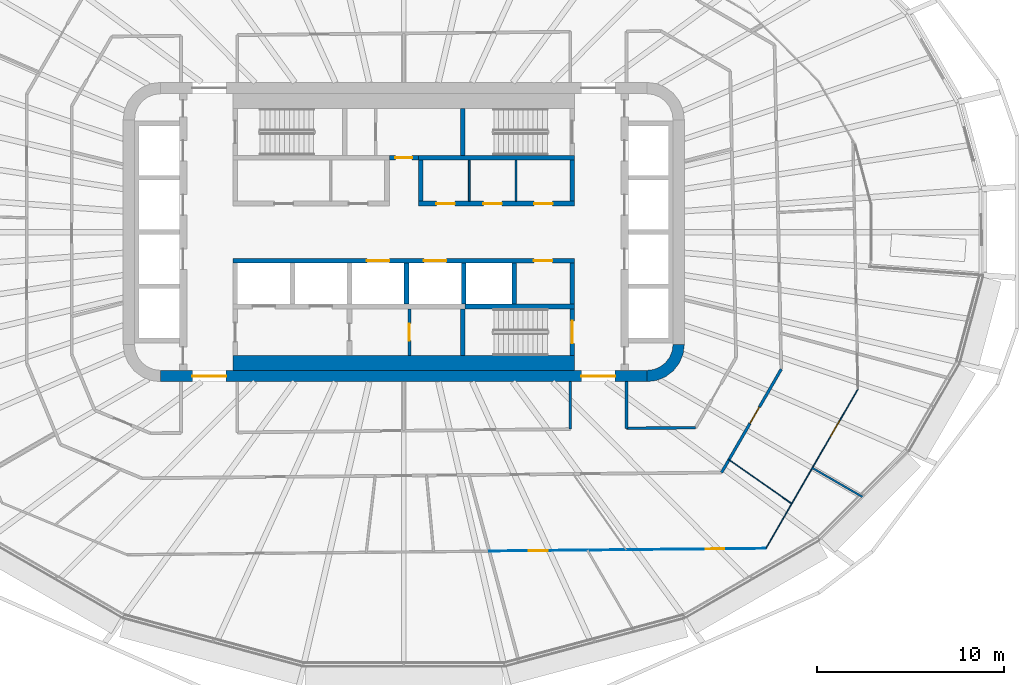
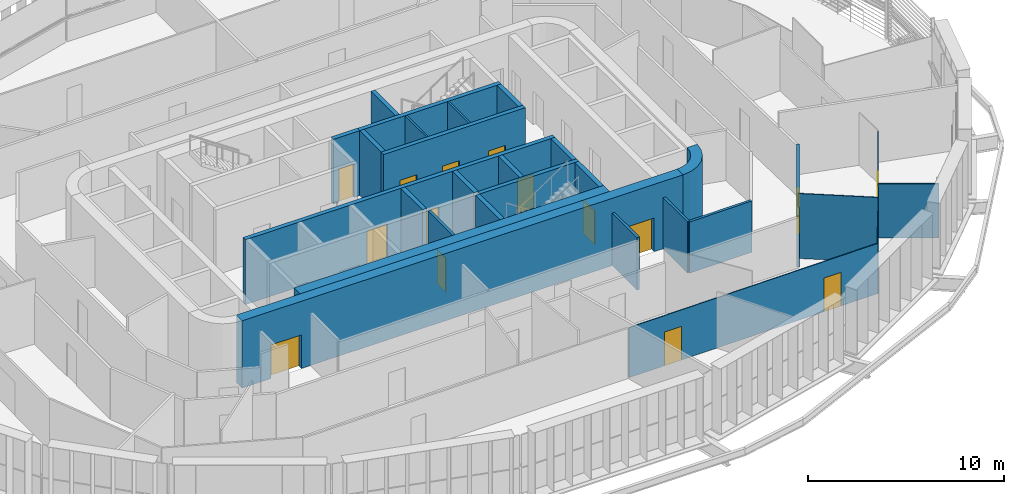
# One storey, part 14 of 24: 28 walls, 15 doors, 15 openings.
"""IFC4 building model written with IfcOpenShell, lengths in metres."""

from ifc_helpers import new_model, si_unit, direction, frame, frame_2d, origin, place, context, subcontext, project, spatial, polyline, rectangle, outline, extrude, material, layer, layer_set, type_object, element, fill, save


model = new_model("IFC4")

# Units and contexts
model_context = context("Model", 3, precision=1e-05, world=origin(), true_north=direction((0.0, 1.0)))
body_context = subcontext(model_context, "Body", "Model", "MODEL_VIEW")
ifc_project = project(units=[si_unit("LENGTHUNIT", "METRE"), si_unit("AREAUNIT", "SQUARE_METRE"), si_unit("VOLUMEUNIT", "CUBIC_METRE"), si_unit("PLANEANGLEUNIT", "RADIAN"), si_unit("MASSUNIT", "GRAM", prefix="KILO")], contexts=[model_context])

# Site, building, storey
site_placement = place(None, origin())
site = spatial("IfcSite", under=ifc_project, at=site_placement, CompositionType="ELEMENT")
building_placement = place(site_placement, origin())
building = spatial("IfcBuilding", under=site, at=building_placement, Name="Sahrelin Media Tower", CompositionType="ELEMENT")
storey_placement = place(building_placement, frame((0.0, 0.0, 67.199951171875)))
storey = spatial("IfcBuildingStorey", under=building, at=storey_placement, Name="L11", CompositionType="ELEMENT", Elevation=67.199951171875)

# Wall, openings, doors
ifc_material_1 = material(Name="Concrete C60/75", Category="concrete")
ifc_layer_1 = layer(ifc_material_1, 0.60009765625)
ifc_layer_set_1 = layer_set([ifc_layer_1], Name="Core wall 600")
wall_type_1 = type_object("IfcWallType", Name="Core wall 600", PredefinedType="SHEAR", material=ifc_layer_set_1)
wall_1_placement = place(storey_placement, frame((-13.0, -7.699951171875, 0.0), z_axis=(0.0, 0.0, 1.0), x_axis=(1.0, 0.0, 0.0)))
wall_1 = element("IfcWall", 1, at=wall_1_placement, inside=storey, type_object=wall_type_1, Name="Core wall S L11", PredefinedType="SHEAR", context=body_context, shape_type="SweptSolid", body=[
    extrude(rectangle(XDim=26.0, YDim=0.60009765625, at=frame_2d((13.0, 0.0))), origin(), (0.0, 0.0, 1.0), 4.199951171875),
])
opening_1_placement = place(wall_1_placement, frame((1.699951171875, 0.0, 0.0)))
opening_1 = element("IfcOpeningElement", 2, at=opening_1_placement, cuts=wall_1, Name="Opening L11-D21", PredefinedType="OPENING", context=body_context, shape_type="SweptSolid", body=[
    extrude(rectangle(XDim=1.800048828125, YDim=2.10009765625, at=frame_2d((0.89990234375, 1.050048828125))), frame((0.0, 0.300048828125, 0.0), z_axis=(0.0, -1.0, 0.0), x_axis=(1.0, 0.0, 0.0)), (0.0, 0.0, 1.0), 0.60009765625),
])
opening_2_placement = place(wall_1_placement, frame((22.5, 0.0, 0.0)))
opening_2 = element("IfcOpeningElement", 3, at=opening_2_placement, cuts=wall_1, Name="Opening L11-D22", PredefinedType="OPENING", context=body_context, shape_type="SweptSolid", body=[
    extrude(rectangle(XDim=1.800048828125, YDim=2.10009765625, at=frame_2d((0.89990234375, 1.050048828125))), frame((0.0, 0.300048828125, 0.0), z_axis=(0.0, -1.0, 0.0), x_axis=(1.0, 0.0, 0.0)), (0.0, 0.0, 1.0), 0.60009765625),
])
ifc_material_2 = material(Name="Steel fire door leaf", Category="steel")
door_type_1 = type_object("IfcDoorType", Name="Lobby double door 1800 x 2100 EI 60", OperationType="DOUBLE_DOOR_SINGLE_SWING", PredefinedType="DOOR", material=ifc_material_2)
door_1_placement = place(opening_1_placement, origin())
door_1 = element("IfcDoor", 4, at=door_1_placement, inside=storey, type_object=door_type_1, Name="Lobby door", OperationType="DOUBLE_DOOR_SINGLE_SWING", OverallHeight=2.10009765625, OverallWidth=1.800048828125, PredefinedType="DOOR", context=body_context, shape_type="SweptSolid", body=[
    extrude(rectangle(XDim=1.800048828125, YDim=2.10009765625, at=frame_2d((0.89990234375, 1.050048828125))), frame((0.0, 0.02490234375, 0.0), z_axis=(0.0, -1.0, 0.0), x_axis=(1.0, 0.0, 0.0)), (0.0, 0.0, 1.0), 0.050048828125),
])
fill(opening_1, door_1)
door_2_placement = place(opening_2_placement, origin())
door_2 = element("IfcDoor", 5, at=door_2_placement, inside=storey, type_object=door_type_1, Name="Lobby door", OperationType="DOUBLE_DOOR_SINGLE_SWING", OverallHeight=2.10009765625, OverallWidth=1.800048828125, PredefinedType="DOOR", context=body_context, shape_type="SweptSolid", body=[
    extrude(rectangle(XDim=1.800048828125, YDim=2.10009765625, at=frame_2d((0.89990234375, 1.050048828125))), frame((0.0, 0.02490234375, 0.0), z_axis=(0.0, -1.0, 0.0), x_axis=(1.0, 0.0, 0.0)), (0.0, 0.0, 1.0), 0.050048828125),
])
fill(opening_2, door_2)

# Wall
wall_2_placement = place(storey_placement, origin())
element("IfcWall", 6, at=wall_2_placement, inside=storey, type_object=wall_type_1, Name="Core wall corner SE L11", PredefinedType="SHEAR", context=body_context, shape_type="SweptSolid", body=[
    extrude(outline(polyline([(15.0, -6.0), (14.394775390625, -6.0), (14.347412109375, -6.361083984375), (14.2080078125, -6.697509765625), (13.986328125, -6.986328125), (13.697509765625, -7.2080078125), (13.361083984375, -7.347412109375), (13.0, -7.394775390625), (13.0, -8.0), (13.517578125, -7.931884765625), (14.0, -7.732177734375), (14.414306640625, -7.414306640625), (14.732177734375, -7.0), (14.931884765625, -6.517578125), (15.0, -6.0)])), origin(), (0.0, 0.0, 1.0), 4.199951171875),
])

# Wall, opening, door
ifc_material_3 = material(Name="Fire-rated gypsum board partition")
ifc_layer_2 = layer(ifc_material_3, 0.25)
ifc_layer_set_2 = layer_set([ifc_layer_2], Name="Fire-rated lobby wall 250")
wall_type_2 = type_object("IfcWallType", Name="Fire-rated lobby wall 250", PredefinedType="PARTITIONING", material=ifc_layer_set_2)
wall_3_placement = place(storey_placement, frame((-0.77490234375, 3.97509765625, 0.0), z_axis=(0.0, 0.0, 1.0), x_axis=(1.0, 0.0, 0.0)))
wall_3 = element("IfcWall", 7, at=wall_3_placement, inside=storey, type_object=wall_type_2, Name="Core lobby wall", PredefinedType="PARTITIONING", context=body_context, shape_type="SweptSolid", body=[
    extrude(rectangle(XDim=1.5498046875, YDim=0.25, at=frame_2d((0.77490234375, 0.0))), origin(), (0.0, 0.0, 1.0), 4.050048828125),
])
opening_3_placement = place(wall_3_placement, frame((0.324951171875, 0.0, 0.0)))
opening_3 = element("IfcOpeningElement", 8, at=opening_3_placement, cuts=wall_3, Name="Opening L11-D06", PredefinedType="OPENING", context=body_context, shape_type="SweptSolid", body=[
    extrude(rectangle(XDim=0.89990234375, YDim=2.10009765625, at=frame_2d((0.449951171875, 1.050048828125))), frame((0.0, 0.125, 0.0), z_axis=(0.0, -1.0, 0.0), x_axis=(1.0, 0.0, 0.0)), (0.0, 0.0, 1.0), 0.25),
])
door_type_2 = type_object("IfcDoorType", Name="Riser door 900 x 2100 EI 120", OperationType="NOTDEFINED", PredefinedType="DOOR", material=ifc_material_2)
door_3_placement = place(opening_3_placement, origin())
door_3 = element("IfcDoor", 9, at=door_3_placement, inside=storey, type_object=door_type_2, Name="Core room door", OperationType="SINGLE_SWING_LEFT", OverallHeight=2.10009765625, OverallWidth=0.89990234375, PredefinedType="DOOR", context=body_context, shape_type="SweptSolid", body=[
    extrude(rectangle(XDim=0.89990234375, YDim=2.10009765625, at=frame_2d((0.449951171875, 1.050048828125))), frame((0.0, 0.02490234375, 0.0), z_axis=(0.0, -1.0, 0.0), x_axis=(1.0, 0.0, 0.0)), (0.0, 0.0, 1.0), 0.050048828125),
])
fill(opening_3, door_3)

# Wall, openings, doors
wall_4_placement = place(storey_placement, frame((0.77490234375, 1.52490234375, 0.0), z_axis=(0.0, 0.0, 1.0), x_axis=(1.0, 0.0, 0.0)))
wall_4 = element("IfcWall", 10, at=wall_4_placement, inside=storey, type_object=wall_type_2, Name="Core lobby wall", PredefinedType="PARTITIONING", context=body_context, shape_type="SweptSolid", body=[
    extrude(rectangle(XDim=8.35009765625, YDim=0.25, at=frame_2d((4.175048828125, 0.0))), origin(), (0.0, 0.0, 1.0), 4.050048828125),
])
opening_4_placement = place(wall_4_placement, frame((0.96240234375, 0.0, 0.0)))
opening_4 = element("IfcOpeningElement", 11, at=opening_4_placement, cuts=wall_4, Name="Opening L11-D11", PredefinedType="OPENING", context=body_context, shape_type="SweptSolid", body=[
    extrude(rectangle(XDim=1.0, YDim=2.10009765625, at=frame_2d((0.5, 1.050048828125))), frame((0.0, 0.125, 0.0), z_axis=(0.0, -1.0, 0.0), x_axis=(1.0, 0.0, 0.0)), (0.0, 0.0, 1.0), 0.25),
])
opening_5_placement = place(wall_4_placement, frame((3.47509765625, 0.0, 0.0)))
opening_5 = element("IfcOpeningElement", 12, at=opening_5_placement, cuts=wall_4, Name="Opening L11-D12", PredefinedType="OPENING", context=body_context, shape_type="SweptSolid", body=[
    extrude(rectangle(XDim=1.0, YDim=2.10009765625, at=frame_2d((0.5, 1.050048828125))), frame((0.0, 0.125, 0.0), z_axis=(0.0, -1.0, 0.0), x_axis=(1.0, 0.0, 0.0)), (0.0, 0.0, 1.0), 0.25),
])
opening_6_placement = place(wall_4_placement, frame((6.1875, 0.0, 0.0)))
opening_6 = element("IfcOpeningElement", 13, at=opening_6_placement, cuts=wall_4, Name="Opening L11-D13", PredefinedType="OPENING", context=body_context, shape_type="SweptSolid", body=[
    extrude(rectangle(XDim=1.0, YDim=2.10009765625, at=frame_2d((0.5, 1.050048828125))), frame((0.0, 0.125, 0.0), z_axis=(0.0, -1.0, 0.0), x_axis=(1.0, 0.0, 0.0)), (0.0, 0.0, 1.0), 0.25),
])
door_type_3 = type_object("IfcDoorType", Name="Fire door 1000 x 2100 EI 60", OperationType="NOTDEFINED", PredefinedType="DOOR", material=ifc_material_2)
door_4_placement = place(opening_4_placement, origin())
door_4 = element("IfcDoor", 14, at=door_4_placement, inside=storey, type_object=door_type_3, Name="Core room door", OperationType="SINGLE_SWING_LEFT", OverallHeight=2.10009765625, OverallWidth=1.0, PredefinedType="DOOR", context=body_context, shape_type="SweptSolid", body=[
    extrude(rectangle(XDim=1.0, YDim=2.10009765625, at=frame_2d((0.5, 1.050048828125))), frame((0.0, 0.02490234375, 0.0), z_axis=(0.0, -1.0, 0.0), x_axis=(1.0, 0.0, 0.0)), (0.0, 0.0, 1.0), 0.050048828125),
])
fill(opening_4, door_4)
door_5_placement = place(opening_5_placement, origin())
door_5 = element("IfcDoor", 15, at=door_5_placement, inside=storey, type_object=door_type_3, Name="Core room door", OperationType="SINGLE_SWING_LEFT", OverallHeight=2.10009765625, OverallWidth=1.0, PredefinedType="DOOR", context=body_context, shape_type="SweptSolid", body=[
    extrude(rectangle(XDim=1.0, YDim=2.10009765625, at=frame_2d((0.5, 1.050048828125))), frame((0.0, 0.02490234375, 0.0), z_axis=(0.0, -1.0, 0.0), x_axis=(1.0, 0.0, 0.0)), (0.0, 0.0, 1.0), 0.050048828125),
])
fill(opening_5, door_5)
door_6_placement = place(opening_6_placement, origin())
door_6 = element("IfcDoor", 16, at=door_6_placement, inside=storey, type_object=door_type_3, Name="Core room door", OperationType="SINGLE_SWING_LEFT", OverallHeight=2.10009765625, OverallWidth=1.0, PredefinedType="DOOR", context=body_context, shape_type="SweptSolid", body=[
    extrude(rectangle(XDim=1.0, YDim=2.10009765625, at=frame_2d((0.5, 1.050048828125))), frame((0.0, 0.02490234375, 0.0), z_axis=(0.0, -1.0, 0.0), x_axis=(1.0, 0.0, 0.0)), (0.0, 0.0, 1.0), 0.050048828125),
])
fill(opening_6, door_6)

# Walls
for number, where, z_axis, x_axis, name in (
    (17, (9.0, 1.64990234375, 0.0), (0.0, 0.0, 1.0), (0.0, 1.0, 0.0), "Core lobby wall"),
    (18, (0.89990234375, 1.64990234375, 0.0), (0.0, 0.0, 1.0), (0.0, 1.0, 0.0), "Core lobby wall"),
):
    element("IfcWall", number, at=place(storey_placement, frame(where, z_axis=z_axis, x_axis=x_axis)), inside=storey, type_object=wall_type_2, Name=name, PredefinedType="PARTITIONING", context=body_context, shape_type="SweptSolid", body=[
        extrude(rectangle(XDim=2.2001953125, YDim=0.25, at=frame_2d((1.10009765625, 0.0))), origin(), (0.0, 0.0, 1.0), 4.050048828125),
    ])
ifc_layer_3 = layer(ifc_material_3, 0.10009765625)
ifc_layer_set_3 = layer_set([ifc_layer_3], Name="Fire-rated partition 100")
wall_type_3 = type_object("IfcWallType", Name="Fire-rated partition 100", PredefinedType="PARTITIONING", material=ifc_layer_set_3)
for number, where, z_axis, x_axis, name in (
    (19, (3.5, 1.64990234375, 0.0), (0.0, 0.0, 1.0), (0.0, 1.0, 0.0), "Core room partition"),
    (20, (6.0, 1.64990234375, 0.0), (0.0, 0.0, 1.0), (0.0, 1.0, 0.0), "Core room partition"),
):
    element("IfcWall", number, at=place(storey_placement, frame(where, z_axis=z_axis, x_axis=x_axis)), inside=storey, type_object=wall_type_3, Name=name, PredefinedType="PARTITIONING", context=body_context, shape_type="SweptSolid", body=[
        extrude(rectangle(XDim=2.2001953125, YDim=0.10009765625, at=frame_2d((1.10009765625, 0.0))), origin(), (0.0, 0.0, 1.0), 4.050048828125),
    ])

# Wall, opening, door
ifc_layer_4 = layer(ifc_material_3, 0.14990234375)
ifc_layer_set_4 = layer_set([ifc_layer_4], Name="Fire-rated partition 150")
wall_type_4 = type_object("IfcWallType", Name="Fire-rated partition 150", PredefinedType="PARTITIONING", material=ifc_layer_set_4)
wall_5_placement = place(storey_placement, frame((0.300048828125, -6.60009765625, 0.0), z_axis=(0.0, 0.0, 1.0), x_axis=(0.0, 1.0, 0.0)))
wall_5 = element("IfcWall", 21, at=wall_5_placement, inside=storey, type_object=wall_type_4, Name="Core room fire partition", PredefinedType="PARTITIONING", context=body_context, shape_type="SweptSolid", body=[
    extrude(rectangle(XDim=2.5, YDim=0.14990234375, at=frame_2d((1.25, 0.0))), origin(), (0.0, 0.0, 1.0), 4.050048828125),
])
opening_7_placement = place(wall_5_placement, frame((0.800048828125, 0.0, 0.0)))
opening_7 = element("IfcOpeningElement", 22, at=opening_7_placement, cuts=wall_5, Name="Opening L11-D08", PredefinedType="OPENING", context=body_context, shape_type="SweptSolid", body=[
    extrude(rectangle(XDim=0.89990234375, YDim=2.10009765625, at=frame_2d((0.449951171875, 1.050048828125))), frame((0.0, 0.074951171875, 0.0), z_axis=(0.0, -1.0, 0.0), x_axis=(1.0, 0.0, 0.0)), (0.0, 0.0, 1.0), 0.14990234375),
])
door_type_4 = type_object("IfcDoorType", Name="Fire door 900 x 2100 EI 60", OperationType="NOTDEFINED", PredefinedType="DOOR", material=ifc_material_2)
door_7_placement = place(opening_7_placement, origin())
door_7 = element("IfcDoor", 23, at=door_7_placement, inside=storey, type_object=door_type_4, Name="Core room door", OperationType="SINGLE_SWING_RIGHT", OverallHeight=2.10009765625, OverallWidth=0.89990234375, PredefinedType="DOOR", context=body_context, shape_type="SweptSolid", body=[
    extrude(rectangle(XDim=0.89990234375, YDim=2.10009765625, at=frame_2d((0.449951171875, 1.050048828125))), frame((0.0, 0.02490234375, 0.0), z_axis=(0.0, -1.0, 0.0), x_axis=(1.0, 0.0, 0.0)), (0.0, 0.0, 1.0), 0.050048828125),
])
fill(opening_7, door_7)

# Wall
wall_6_placement = place(storey_placement, frame((11.89990234375, -10.491943359375, 0.0), z_axis=(0.0, 0.0, 1.0), x_axis=(0.999950943482, 0.009905080996, 0.0)))
element("IfcWall", 24, at=wall_6_placement, inside=storey, type_object=wall_type_4, Name="Wall", PredefinedType="PARTITIONING", context=body_context, shape_type="SweptSolid", body=[
    extrude(rectangle(XDim=3.697265625, YDim=0.14990234375, at=frame_2d((1.8486328125, 0.0))), origin(), (0.0, 0.0, 1.0), 3.195068359375),
])

# Wall, opening, door
wall_7_placement = place(storey_placement, frame((16.989990234375, -12.85302734375, 0.0), z_axis=(0.0, 0.0, 1.0), x_axis=(0.500026252906, 0.866010246132, 0.0)))
wall_7 = element("IfcWall", 25, at=wall_7_placement, inside=storey, type_object=wall_type_4, Name="Wall", PredefinedType="PARTITIONING", context=body_context, shape_type="SweptSolid", body=[
    extrude(rectangle(XDim=6.376708984375, YDim=0.14990234375, at=frame_2d((3.1884765625, 0.0))), origin(), (0.0, 0.0, 1.0), 3.195068359375),
])
opening_8_placement = place(wall_7_placement, frame((3.032958984375, 0.0, 0.0)))
opening_8 = element("IfcOpeningElement", 26, at=opening_8_placement, cuts=wall_7, Name="Opening L11-D44", PredefinedType="OPENING", context=body_context, shape_type="SweptSolid", body=[
    extrude(rectangle(XDim=1.0, YDim=2.10009765625, at=frame_2d((0.5, 1.050048828125))), frame((0.0, 0.074951171875, 0.0), z_axis=(0.0, -1.0, 0.0), x_axis=(1.0, 0.0, 0.0)), (0.0, 0.0, 1.0), 0.14990234375),
])
door_8_placement = place(opening_8_placement, origin())
door_8 = element("IfcDoor", 27, at=door_8_placement, inside=storey, type_object=door_type_3, Name="Fire door", OperationType="SINGLE_SWING_LEFT", OverallHeight=2.10009765625, OverallWidth=1.0, PredefinedType="DOOR", context=body_context, shape_type="SweptSolid", body=[
    extrude(rectangle(XDim=1.0, YDim=2.10009765625, at=frame_2d((0.5, 1.050048828125))), frame((0.0, 0.02490234375, 0.0), z_axis=(0.0, -1.0, 0.0), x_axis=(1.0, 0.0, 0.0)), (0.0, 0.0, 1.0), 0.050048828125),
])
fill(opening_8, door_8)

# Walls
wall_8_placement = place(storey_placement, frame((11.89990234375, -10.491943359375, 0.0), z_axis=(0.0, 0.0, 1.0), x_axis=(0.0, 1.0, 0.0)))
element("IfcWall", 28, at=wall_8_placement, inside=storey, type_object=wall_type_4, Name="Wall", PredefinedType="PARTITIONING", context=body_context, shape_type="SweptSolid", body=[
    extrude(rectangle(XDim=2.491943359375, YDim=0.14990234375, at=frame_2d((1.24609375, 0.0))), origin(), (0.0, 0.0, 1.0), 3.195068359375),
])
wall_9_placement = place(storey_placement, frame((8.89990234375, -10.531982421875, 0.0), z_axis=(0.0, 0.0, 1.0), x_axis=(0.0, 1.0, 0.0)))
element("IfcWall", 29, at=wall_9_placement, inside=storey, type_object=wall_type_4, Name="Wall", PredefinedType="PARTITIONING", context=body_context, shape_type="SweptSolid", body=[
    extrude(rectangle(XDim=2.531982421875, YDim=0.14990234375, at=frame_2d((1.26611328125, 0.0))), origin(), (0.0, 0.0, 1.0), 3.276123046875),
])
ifc_material_4 = material(Name="Clear glass", Category="glass")
ifc_layer_5 = layer(ifc_material_4, 0.050048828125)
ifc_layer_set_5 = layer_set([ifc_layer_5], Name="Glazed partition 50")
wall_type_5 = type_object("IfcWallType", Name="Glazed partition 50", PredefinedType="PARTITIONING", material=ifc_layer_set_5)
wall_10_placement = place(storey_placement, frame((17.383056640625, -12.172119140625, 0.0), z_axis=(0.0, 0.0, 1.0), x_axis=(0.819265519274, -0.573414343149, 0.0)))
element("IfcWall", 30, at=wall_10_placement, inside=storey, type_object=wall_type_5, Name="Wall", PredefinedType="PARTITIONING", context=body_context, shape_type="SweptSolid", body=[
    extrude(rectangle(XDim=4.09619140625, YDim=0.050048828125, at=frame_2d((2.048095703125, 0.0))), origin(), (0.0, 0.0, 1.0), 4.050048828125),
])

# Wall, openings, doors
wall_11_placement = place(storey_placement, frame((4.570068359375, -17.055908203125, 0.0), z_axis=(0.0, 0.0, 1.0), x_axis=(0.999951924398, 0.009805554158, 0.0)))
wall_11 = element("IfcWall", 31, at=wall_11_placement, inside=storey, type_object=wall_type_5, Name="Wall", PredefinedType="PARTITIONING", context=body_context, shape_type="SweptSolid", body=[
    extrude(rectangle(XDim=14.78955078125, YDim=0.050048828125, at=frame_2d((7.394775390625, 0.0))), origin(), (0.0, 0.0, 1.0), 3.126953125),
])
opening_9_placement = place(wall_11_placement, frame((2.1220703125, 0.0, 0.0)))
opening_9 = element("IfcOpeningElement", 32, at=opening_9_placement, cuts=wall_11, Name="Opening L11-D45", PredefinedType="OPENING", context=body_context, shape_type="SweptSolid", body=[
    extrude(rectangle(XDim=1.0, YDim=2.10009765625, at=frame_2d((0.5, 1.050048828125))), frame((0.0, 0.02490234375, 0.0), z_axis=(0.0, -1.0, 0.0), x_axis=(1.0, 0.0, 0.0)), (0.0, 0.0, 1.0), 0.050048828125),
])
opening_10_placement = place(wall_11_placement, frame((11.5673828125, 0.0, 0.0)))
opening_10 = element("IfcOpeningElement", 33, at=opening_10_placement, cuts=wall_11, Name="Opening L11-D46", PredefinedType="OPENING", context=body_context, shape_type="SweptSolid", body=[
    extrude(rectangle(XDim=1.0, YDim=2.10009765625, at=frame_2d((0.5, 1.050048828125))), frame((0.0, 0.02490234375, 0.0), z_axis=(0.0, -1.0, 0.0), x_axis=(1.0, 0.0, 0.0)), (0.0, 0.0, 1.0), 0.050048828125),
])
door_type_5 = type_object("IfcDoorType", Name="Glazed door 1000 x 2100", OperationType="NOTDEFINED", PredefinedType="DOOR", material=ifc_material_4)
door_9_placement = place(opening_9_placement, origin())
door_9 = element("IfcDoor", 34, at=door_9_placement, inside=storey, type_object=door_type_5, Name="Glazed door", OperationType="SINGLE_SWING_LEFT", OverallHeight=2.10009765625, OverallWidth=1.0, PredefinedType="DOOR", context=body_context, shape_type="SweptSolid", body=[
    extrude(rectangle(XDim=1.0, YDim=2.10009765625, at=frame_2d((0.5, 1.050048828125))), frame((0.0, 0.02490234375, 0.0), z_axis=(0.0, -1.0, 0.0), x_axis=(1.0, 0.0, 0.0)), (0.0, 0.0, 1.0), 0.049560546875),
])
fill(opening_9, door_9)
door_10_placement = place(opening_10_placement, origin())
door_10 = element("IfcDoor", 35, at=door_10_placement, inside=storey, type_object=door_type_5, Name="Glazed door", OperationType="SINGLE_SWING_LEFT", OverallHeight=2.10009765625, OverallWidth=1.0, PredefinedType="DOOR", context=body_context, shape_type="SweptSolid", body=[
    extrude(rectangle(XDim=1.0, YDim=2.10009765625, at=frame_2d((0.5, 1.050048828125))), frame((0.0, 0.02490234375, 0.0), z_axis=(0.0, -1.0, 0.0), x_axis=(1.0, 0.0, 0.0)), (0.0, 0.0, 1.0), 0.049560546875),
])
fill(opening_10, door_10)

# Wall, opening, door
wall_12_placement = place(storey_placement, frame((19.35888671875, -16.909912109375, 0.0), z_axis=(0.0, 0.0, 1.0), x_axis=(0.500075948794, 0.865981550287, 0.0)))
wall_12 = element("IfcWall", 36, at=wall_12_placement, inside=storey, type_object=wall_type_5, Name="Wall", PredefinedType="PARTITIONING", context=body_context, shape_type="SweptSolid", body=[
    extrude(rectangle(XDim=9.84423828125, YDim=0.050048828125, at=frame_2d((4.922119140625, 0.0))), origin(), (0.0, 0.0, 1.0), 3.195068359375),
])
opening_11_placement = place(wall_12_placement, frame((6.906005859375, 0.0, 0.0)))
opening_11 = element("IfcOpeningElement", 37, at=opening_11_placement, cuts=wall_12, Name="Opening L11-D47", PredefinedType="OPENING", context=body_context, shape_type="SweptSolid", body=[
    extrude(rectangle(XDim=1.0, YDim=2.10009765625, at=frame_2d((0.5, 1.050048828125))), frame((0.0, 0.02490234375, 0.0), z_axis=(0.0, -1.0, 0.0), x_axis=(1.0, 0.0, 0.0)), (0.0, 0.0, 1.0), 0.050048828125),
])
door_11_placement = place(opening_11_placement, origin())
door_11 = element("IfcDoor", 38, at=door_11_placement, inside=storey, type_object=door_type_5, Name="Glazed door", OperationType="SINGLE_SWING_LEFT", OverallHeight=2.10009765625, OverallWidth=1.0, PredefinedType="DOOR", context=body_context, shape_type="SweptSolid", body=[
    extrude(rectangle(XDim=1.0, YDim=2.10009765625, at=frame_2d((0.5, 1.050048828125))), frame((0.0, 0.02490234375, 0.0), z_axis=(0.0, -1.0, 0.0), x_axis=(1.0, 0.0, 0.0)), (0.0, 0.0, 1.0), 0.049560546875),
])
fill(opening_11, door_11)

# Wall, openings, doors
ifc_layer_6 = layer(ifc_material_1, 0.25)
ifc_layer_set_6 = layer_set([ifc_layer_6], Name="Lift shaft wall 250")
wall_type_6 = type_object("IfcWallType", Name="Lift shaft wall 250", PredefinedType="SOLIDWALL", material=ifc_layer_set_6)
wall_13_placement = place(storey_placement, frame((-9.125, -1.52490234375, 0.0), z_axis=(0.0, 0.0, 1.0), x_axis=(1.0, 0.0, 0.0)))
wall_13 = element("IfcWall", 39, at=wall_13_placement, inside=storey, type_object=wall_type_6, Name="Lift shaft wall", PredefinedType="SOLIDWALL", context=body_context, shape_type="SweptSolid", body=[
    extrude(rectangle(XDim=18.25, YDim=0.25, at=frame_2d((9.125, 0.0))), origin(), (0.0, 0.0, 1.0), 4.050048828125),
])
opening_12_placement = place(wall_13_placement, frame((7.14990234375, 0.0, 0.0)))
opening_12 = element("IfcOpeningElement", 40, at=opening_12_placement, cuts=wall_13, Name="Opening L11-LD-SV1", PredefinedType="OPENING", context=body_context, shape_type="SweptSolid", body=[
    extrude(rectangle(XDim=1.199951171875, YDim=2.10009765625, at=frame_2d((0.60009765625, 1.050048828125))), frame((0.0, 0.125, 0.0), z_axis=(0.0, -1.0, 0.0), x_axis=(1.0, 0.0, 0.0)), (0.0, 0.0, 1.0), 0.25),
])
opening_13_placement = place(wall_13_placement, frame((10.199951171875, 0.0, 0.0)))
opening_13 = element("IfcOpeningElement", 41, at=opening_13_placement, cuts=wall_13, Name="Opening L11-LD-SV2", PredefinedType="OPENING", context=body_context, shape_type="SweptSolid", body=[
    extrude(rectangle(XDim=1.199951171875, YDim=2.10009765625, at=frame_2d((0.60009765625, 1.050048828125))), frame((0.0, 0.125, 0.0), z_axis=(0.0, -1.0, 0.0), x_axis=(1.0, 0.0, 0.0)), (0.0, 0.0, 1.0), 0.25),
])
opening_14_placement = place(wall_13_placement, frame((16.074951171875, 0.0, 0.0)))
opening_14 = element("IfcOpeningElement", 42, at=opening_14_placement, cuts=wall_13, Name="Opening L11-D14", PredefinedType="OPENING", context=body_context, shape_type="SweptSolid", body=[
    extrude(rectangle(XDim=1.0, YDim=2.10009765625, at=frame_2d((0.5, 1.050048828125))), frame((0.0, 0.125, 0.0), z_axis=(0.0, -1.0, 0.0), x_axis=(1.0, 0.0, 0.0)), (0.0, 0.0, 1.0), 0.25),
])
door_12_placement = place(opening_14_placement, origin())
door_12 = element("IfcDoor", 43, at=door_12_placement, inside=storey, type_object=door_type_3, Name="Core room door", OperationType="SINGLE_SWING_RIGHT", OverallHeight=2.10009765625, OverallWidth=1.0, PredefinedType="DOOR", context=body_context, shape_type="SweptSolid", body=[
    extrude(rectangle(XDim=1.0, YDim=2.10009765625, at=frame_2d((0.5, 1.050048828125))), frame((0.0, 0.02490234375, 0.0), z_axis=(0.0, -1.0, 0.0), x_axis=(1.0, 0.0, 0.0)), (0.0, 0.0, 1.0), 0.050048828125),
])
fill(opening_14, door_12)
ifc_material_5 = material(Name="Stainless steel", Category="steel")
door_type_6 = type_object("IfcDoorType", Name="Lift landing door 1200 x 2100 EI 120", OperationType="DOUBLE_DOOR_SLIDING", PredefinedType="DOOR", material=ifc_material_5)
door_13_placement = place(opening_12_placement, origin())
door_13 = element("IfcDoor", 44, at=door_13_placement, inside=storey, type_object=door_type_6, Name="Lift landing door SV1", OperationType="DOUBLE_DOOR_SLIDING", OverallHeight=2.10009765625, OverallWidth=1.199951171875, PredefinedType="DOOR", context=body_context, shape_type="SweptSolid", body=[
    extrude(rectangle(XDim=1.199951171875, YDim=2.10009765625, at=frame_2d((0.60009765625, 1.050048828125))), frame((0.0, 0.02490234375, 0.0), z_axis=(0.0, -1.0, 0.0), x_axis=(1.0, 0.0, 0.0)), (0.0, 0.0, 1.0), 0.050048828125),
])
fill(opening_12, door_13)
door_14_placement = place(opening_13_placement, origin())
door_14 = element("IfcDoor", 45, at=door_14_placement, inside=storey, type_object=door_type_6, Name="Lift landing door SV2", OperationType="DOUBLE_DOOR_SLIDING", OverallHeight=2.10009765625, OverallWidth=1.199951171875, PredefinedType="DOOR", context=body_context, shape_type="SweptSolid", body=[
    extrude(rectangle(XDim=1.199951171875, YDim=2.10009765625, at=frame_2d((0.60009765625, 1.050048828125))), frame((0.0, 0.02490234375, 0.0), z_axis=(0.0, -1.0, 0.0), x_axis=(1.0, 0.0, 0.0)), (0.0, 0.0, 1.0), 0.050048828125),
])
fill(opening_13, door_14)

# Walls
wall_14_placement = place(storey_placement, frame((3.27490234375, -3.97509765625, 0.0), z_axis=(0.0, 0.0, 1.0), x_axis=(1.0, 0.0, 0.0)))
element("IfcWall", 46, at=wall_14_placement, inside=storey, type_object=wall_type_6, Name="Lift shaft wall", PredefinedType="SOLIDWALL", context=body_context, shape_type="SweptSolid", body=[
    extrude(rectangle(XDim=5.85009765625, YDim=0.25, at=frame_2d((2.925048828125, 0.0))), origin(), (0.0, 0.0, 1.0), 4.050048828125),
])
for number, where, z_axis, x_axis, name in (
    (47, (0.14990234375, -3.85009765625, 0.0), (0.0, 0.0, 1.0), (0.0, 1.0, 0.0), "Lift shaft wall"),
    (48, (3.199951171875, -3.85009765625, 0.0), (0.0, 0.0, 1.0), (0.0, 1.0, 0.0), "Lift shaft wall"),
    (49, (5.89990234375, -3.85009765625, 0.0), (0.0, 0.0, 1.0), (0.0, 1.0, 0.0), "Lift shaft wall"),
    (50, (9.0, -3.85009765625, 0.0), (0.0, 0.0, 1.0), (0.0, 1.0, 0.0), "Lift shaft wall"),
):
    element("IfcWall", number, at=place(storey_placement, frame(where, z_axis=z_axis, x_axis=x_axis)), inside=storey, type_object=wall_type_6, Name=name, PredefinedType="SOLIDWALL", context=body_context, shape_type="SweptSolid", body=[
        extrude(rectangle(XDim=2.2001953125, YDim=0.25, at=frame_2d((1.10009765625, 0.0))), origin(), (0.0, 0.0, 1.0), 4.050048828125),
    ])
ifc_material_6 = material(Name="Gypsum board partition")
ifc_layer_7 = layer(ifc_material_6, 0.10009765625)
ifc_layer_set_7 = layer_set([ifc_layer_7], Name="Partition 100")
wall_type_7 = type_object("IfcWallType", Name="Partition 100", PredefinedType="PARTITIONING", material=ifc_layer_set_7)
wall_15_placement = place(storey_placement, frame((21.842041015625, -12.610107421875, 0.0), z_axis=(0.0, 0.0, 1.0), x_axis=(0.865948598564, -0.500133006953, 0.0)))
element("IfcWall", 51, at=wall_15_placement, inside=storey, type_object=wall_type_7, Name="Wall", PredefinedType="PARTITIONING", context=body_context, shape_type="SweptSolid", body=[
    extrude(rectangle(XDim=3.122802734375, YDim=0.10009765625, at=frame_2d((1.5615234375, 0.0))), origin(), (0.0, 0.0, 1.0), 3.352294921875),
])

# Wall, opening, door
ifc_layer_8 = layer(ifc_material_1, 0.25)
ifc_layer_set_8 = layer_set([ifc_layer_8], Name="Stair enclosure wall 250")
wall_type_8 = type_object("IfcWallType", Name="Stair enclosure wall 250", PredefinedType="SOLIDWALL", material=ifc_layer_set_8)
wall_16_placement = place(storey_placement, frame((9.0, -6.60009765625, 0.0), z_axis=(0.0, 0.0, 1.0), x_axis=(0.0, 1.0, 0.0)))
wall_16 = element("IfcWall", 52, at=wall_16_placement, inside=storey, type_object=wall_type_8, Name="Stair enclosure wall", PredefinedType="SOLIDWALL", context=body_context, shape_type="SweptSolid", body=[
    extrude(rectangle(XDim=2.5, YDim=0.25, at=frame_2d((1.25, 0.0))), origin(), (0.0, 0.0, 1.0), 4.050048828125),
])
opening_15_placement = place(wall_16_placement, frame((0.64990234375, 0.0, 0.0)))
opening_15 = element("IfcOpeningElement", 53, at=opening_15_placement, cuts=wall_16, Name="Opening L11-D03", PredefinedType="OPENING", context=body_context, shape_type="SweptSolid", body=[
    extrude(rectangle(XDim=1.199951171875, YDim=2.10009765625, at=frame_2d((0.60009765625, 1.050048828125))), frame((0.0, 0.125, 0.0), z_axis=(0.0, -1.0, 0.0), x_axis=(1.0, 0.0, 0.0)), (0.0, 0.0, 1.0), 0.25),
])
door_type_7 = type_object("IfcDoorType", Name="Stair door 1200 x 2100 EI 120", OperationType="NOTDEFINED", PredefinedType="DOOR", material=ifc_material_2)
door_15_placement = place(opening_15_placement, origin())
door_15 = element("IfcDoor", 54, at=door_15_placement, inside=storey, type_object=door_type_7, Name="Stair door ST2", OperationType="SINGLE_SWING_LEFT", OverallHeight=2.10009765625, OverallWidth=1.199951171875, PredefinedType="DOOR", context=body_context, shape_type="SweptSolid", body=[
    extrude(rectangle(XDim=1.199951171875, YDim=2.10009765625, at=frame_2d((0.60009765625, 1.050048828125))), frame((0.0, 0.02490234375, 0.0), z_axis=(0.0, -1.0, 0.0), x_axis=(1.0, 0.0, 0.0)), (0.0, 0.0, 1.0), 0.050048828125),
])
fill(opening_15, door_15)

# Walls
for number, where, z_axis, x_axis, name in (
    (55, (3.14990234375, 4.10009765625, 0.0), (0.0, 0.0, 1.0), (0.0, 1.0, 0.0), "Stair enclosure wall"),
    (56, (3.14990234375, -6.60009765625, 0.0), (0.0, 0.0, 1.0), (0.0, 1.0, 0.0), "Stair enclosure wall"),
):
    element("IfcWall", number, at=place(storey_placement, frame(where, z_axis=z_axis, x_axis=x_axis)), inside=storey, type_object=wall_type_8, Name=name, PredefinedType="SOLIDWALL", context=body_context, shape_type="SweptSolid", body=[
        extrude(rectangle(XDim=2.5, YDim=0.25, at=frame_2d((1.25, 0.0))), origin(), (0.0, 0.0, 1.0), 4.050048828125),
    ])
wall_17_placement = place(storey_placement, frame((0.77490234375, 3.97509765625, 0.0), z_axis=(0.0, 0.0, 1.0), x_axis=(1.0, 0.0, 0.0)))
element("IfcWall", 57, at=wall_17_placement, inside=storey, type_object=wall_type_8, Name="Stair enclosure wall", PredefinedType="SOLIDWALL", context=body_context, shape_type="SweptSolid", body=[
    extrude(rectangle(XDim=8.35009765625, YDim=0.25, at=frame_2d((4.175048828125, 0.0))), origin(), (0.0, 0.0, 1.0), 4.050048828125),
])
ifc_layer_9 = layer(ifc_material_1, 0.800048828125)
ifc_layer_set_9 = layer_set([ifc_layer_9], Name="Stair enclosure wall 800")
wall_type_9 = type_object("IfcWallType", Name="Stair enclosure wall 800", PredefinedType="SOLIDWALL", material=ifc_layer_set_9)
wall_18_placement = place(storey_placement, frame((-9.125, -7.0, 0.0), z_axis=(0.0, 0.0, 1.0), x_axis=(1.0, 0.0, 0.0)))
element("IfcWall", 58, at=wall_18_placement, inside=storey, type_object=wall_type_9, Name="Stair enclosure wall", PredefinedType="SOLIDWALL", context=body_context, shape_type="SweptSolid", body=[
    extrude(rectangle(XDim=18.25, YDim=0.800048828125, at=frame_2d((9.125, 0.0))), origin(), (0.0, 0.0, 1.0), 4.050048828125),
])

save(model, "model.ifc")
